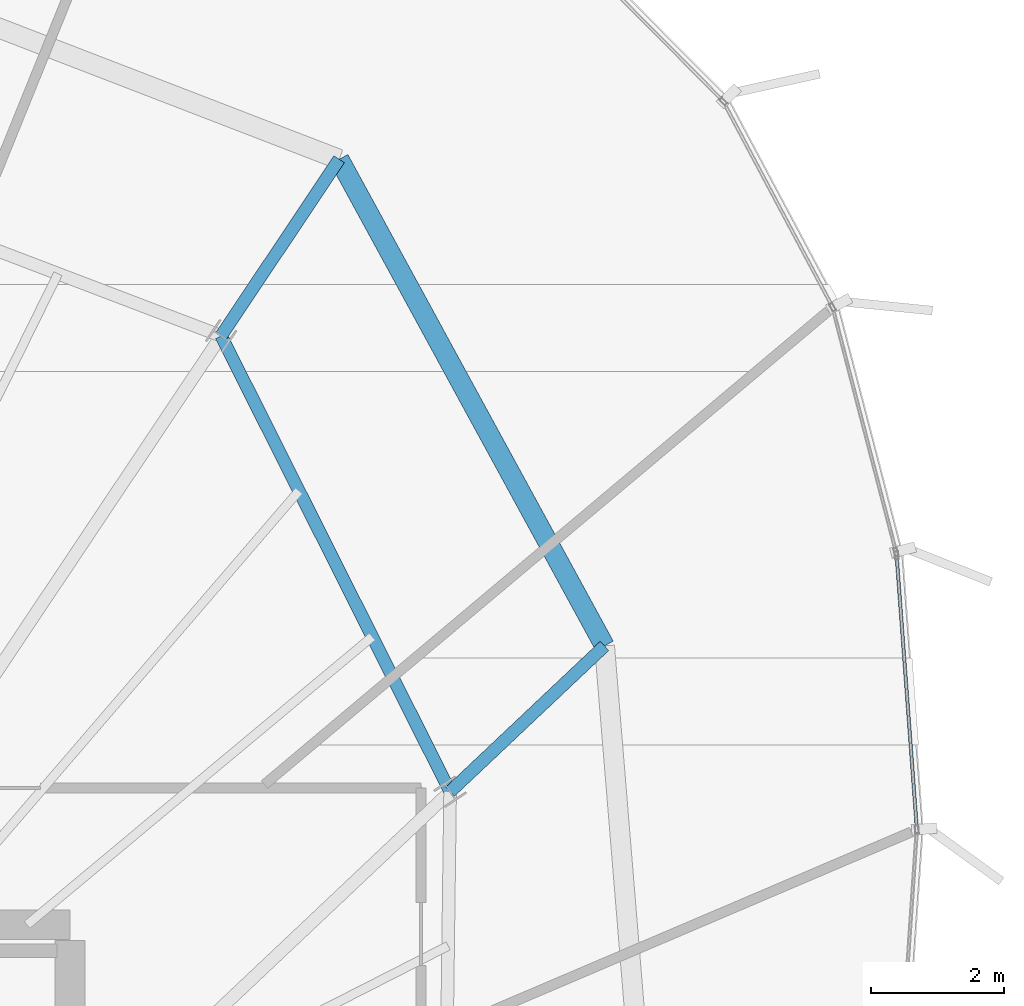
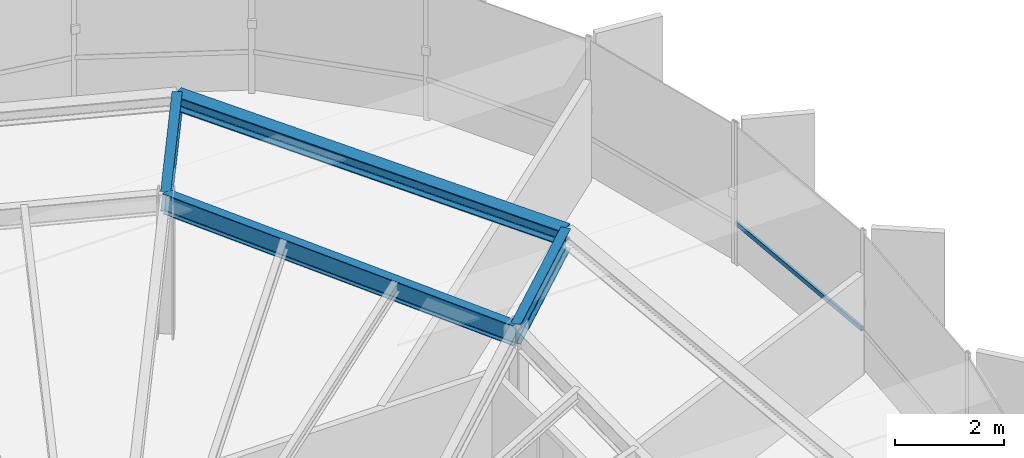
# One storey, part 23 of 32: 4 beams, 1 member, 1 element without a shape of its own.
"""IFC4 building model written with IfcOpenShell, lengths in metres."""

from ifc_helpers import new_model, si_unit, direction, frame, origin, origin_2d, place, context, subcontext, project, spatial, hollow_rectangle, i_section, extrude, source, transform, mapped, material, layer, layer_set, material_profile, profile_set, type_object, element, aggregate, save


model = new_model("IFC4")

# Units and contexts
model_context = context("Model", 3, precision=1e-05, world=origin(), true_north=direction((0.0, 1.0)))
body_context = subcontext(model_context, "Body", "Model", "MODEL_VIEW")
ifc_project = project(units=[si_unit("LENGTHUNIT", "METRE"), si_unit("AREAUNIT", "SQUARE_METRE"), si_unit("VOLUMEUNIT", "CUBIC_METRE"), si_unit("PLANEANGLEUNIT", "RADIAN"), si_unit("MASSUNIT", "GRAM", prefix="KILO"), si_unit("THERMODYNAMICTEMPERATUREUNIT", "KELVIN")], contexts=[model_context])

# Site, building, storey
site_placement = place(None, origin())
site = spatial("IfcSite", under=ifc_project, at=site_placement, CompositionType="ELEMENT")
building_placement = place(site_placement, origin())
building = spatial("IfcBuilding", under=site, at=building_placement, Name="Kethvar Cultural Tower", CompositionType="ELEMENT")
storey_placement = place(building_placement, frame((0.0, 0.0, 252.550048828125)))
storey = spatial("IfcBuildingStorey", under=building, at=storey_placement, Name="L66", CompositionType="ELEMENT", Elevation=252.550048828125)

# Beams
ifc_material_1 = material(Name="Steel S355J2", Category="steel")
ifc_material_profile_1 = material_profile(ifc_material_1, i_section(OverallWidth=0.18994140625, OverallDepth=0.449951171875, WebThickness=0.009521484375, FlangeThickness=0.0146484375, FilletRadius=0.02099609375, at=origin_2d()), Name="Steel S355J2 — IPE450")
ifc_profile_set_1 = profile_set([ifc_material_profile_1], Name="Steel S355J2 — IPE450")
beam_type_1 = type_object("IfcBeamType", Name="BM-IPE450", PredefinedType="BEAM", material=ifc_profile_set_1)
shared_shape_1 = source(origin(), body_context, "Body", "SweptSolid", [
    extrude(i_section(OverallWidth=0.18994140625, OverallDepth=0.449951171875, WebThickness=0.009521484375, FlangeThickness=0.0146484375, FilletRadius=0.02099609375, at=origin_2d()), origin(), (0.0, 0.0, 1.0), 3.199951171875),
])
beam_1_placement = place(storey_placement, frame((61.32568359375, 37.505859375, 2.98291015625), z_axis=(0.727146433404, 0.686482384616, 0.0), x_axis=(-0.686482384616, 0.727146433404, 0.0)))
element("IfcBeam", 1, at=beam_1_placement, inside=storey, type_object=beam_type_1, Name="L66 Perimeter Cantilever Beam RC-02", PredefinedType="BEAM", context=body_context, shape_type="MappedRepresentation", body=[
    mapped(shared_shape_1, transform((0.0, 0.0, 0.0), scale=1.0)),
])
shared_shape_2 = source(origin(), body_context, "Body", "SweptSolid", [
    extrude(i_section(OverallWidth=0.18994140625, OverallDepth=0.449951171875, WebThickness=0.009521484375, FlangeThickness=0.0146484375, FilletRadius=0.02099609375, at=origin_2d()), origin(), (0.0, 0.0, 1.0), 3.2001953125),
])
beam_2_placement = place(storey_placement, frame((57.875244140625, 44.375, 2.98291015625), z_axis=(0.555544970406, 0.831486491686, 0.0), x_axis=(-0.831486491686, 0.555544970406, 0.0)))
element("IfcBeam", 2, at=beam_2_placement, inside=storey, type_object=beam_type_1, Name="L66 Perimeter Cantilever Beam RC-03", PredefinedType="BEAM", context=body_context, shape_type="MappedRepresentation", body=[
    mapped(shared_shape_2, transform((0.0, 0.0, 0.0), scale=1.0)),
])
shared_shape_3 = source(origin(), body_context, "Body", "SweptSolid", [
    extrude(i_section(OverallWidth=0.18994140625, OverallDepth=0.449951171875, WebThickness=0.009521484375, FlangeThickness=0.0146484375, FilletRadius=0.02099609375, at=origin_2d()), origin(), (0.0, 0.0, 1.0), 7.68701171875),
])
beam_3_placement = place(storey_placement, frame((61.32568359375, 37.505859375, 2.98291015625), z_axis=(-0.448864354142, 0.893599905763, 0.0), x_axis=(-0.893599905763, -0.448864354142, 0.0)))
element("IfcBeam", 3, at=beam_3_placement, inside=storey, type_object=beam_type_1, Name="L66 Column Ring Tie Beam CR-02", PredefinedType="BEAM", context=body_context, shape_type="MappedRepresentation", body=[
    mapped(shared_shape_3, transform((0.0, 0.0, 0.0), scale=1.0)),
])
ifc_material_profile_2 = material_profile(ifc_material_1, i_section(OverallWidth=0.300048828125, OverallDepth=0.320068359375, WebThickness=0.011474609375, FlangeThickness=0.0205078125, FilletRadius=0.027099609375, at=origin_2d()), Name="Steel S355J2 — HEB320")
ifc_profile_set_2 = profile_set([ifc_material_profile_2], Name="Steel S355J2 — HEB320")
beam_type_2 = type_object("IfcBeamType", Name="BM-SP320", PredefinedType="SPANDREL", material=ifc_profile_set_2)
shared_shape_4 = source(origin(), body_context, "Body", "SweptSolid", [
    extrude(i_section(OverallWidth=0.300048828125, OverallDepth=0.320068359375, WebThickness=0.011474609375, FlangeThickness=0.0205078125, FilletRadius=0.027099609375, at=origin_2d()), origin(), (0.0, 0.0, 1.0), 8.35302734375),
])
beam_4_placement = place(storey_placement, frame((63.652587890625, 39.70263671875, 3.0478515625), z_axis=(-0.478811173891, 0.877917911742, 0.0), x_axis=(-0.877917911742, -0.478811173891, 0.0)))
element("IfcBeam", 4, at=beam_4_placement, inside=storey, type_object=beam_type_2, Name="L66 Perimeter Spandrel Beam SP-02", PredefinedType="SPANDREL", context=body_context, shape_type="MappedRepresentation", body=[
    mapped(shared_shape_4, transform((0.0, 0.0, 0.0), scale=1.0)),
])

# Curtain wall, member
ifc_material_2 = material(Name="Aluminium 6063-T6", Category="aluminium")
ifc_layer = layer(ifc_material_2, 0.179931640625, Name="Aluminium 6063-T6", Category="aluminium")
ifc_layer_set = layer_set([ifc_layer], Name="Aluminium 6063-T6 (180 mm)")
curtain_wall_type = type_object("IfcCurtainWallType", Name="CW-SYS-05-Z56", PredefinedType="NOTDEFINED", material=ifc_layer_set)
curtain_wall_placement = place(storey_placement, origin())
curtain_wall = element("IfcCurtainWall", 5, at=curtain_wall_placement, inside=storey, type_object=curtain_wall_type, Name="L66 Curtain Wall Run 06", PredefinedType="NOTDEFINED")
ifc_material_profile_3 = material_profile(ifc_material_2, hollow_rectangle(XDim=0.050048828125, YDim=0.10009765625, WallThickness=0.00390625, at=origin_2d()), Name="Aluminium 6063-T6 — RHS100x50x4")
ifc_profile_set_3 = profile_set([ifc_material_profile_3], Name="Aluminium 6063-T6 — RHS100x50x4")
member_type = type_object("IfcMemberType", Name="CW-SYS-05-Z56-TRN", PredefinedType="USERDEFINED", material=ifc_profile_set_3)
shared_shape_5 = source(origin(), body_context, "Body", "SweptSolid", [
    extrude(hollow_rectangle(XDim=0.050048828125, YDim=0.10009765625, WallThickness=0.00390625, at=origin_2d()), origin(), (0.0, 0.0, 1.0), 4.099365234375),
])
member_placement = place(storey_placement, frame((68.35693359375, 36.974365234375, 0.949951171875), z_axis=(-0.073849747998, 0.997269379215, 0.0), x_axis=(-0.997269379215, -0.073849747998, 0.0)))
member = element("IfcMember", 6, at=member_placement, type_object=member_type, Name="CW-L66-R06 Transom 6", ObjectType="TRANSOM", PredefinedType="USERDEFINED", context=body_context, shape_type="MappedRepresentation", body=[
    mapped(shared_shape_5, transform((0.0, 0.0, 0.0), scale=1.0)),
])
aggregate(curtain_wall, [member])

save(model, "model.ifc")
